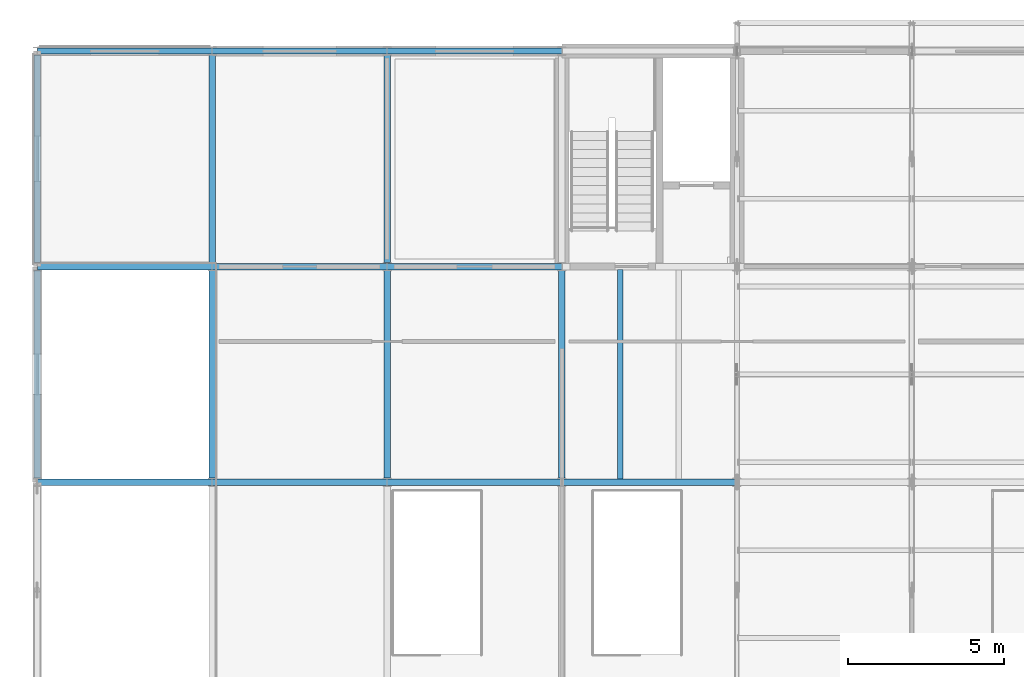
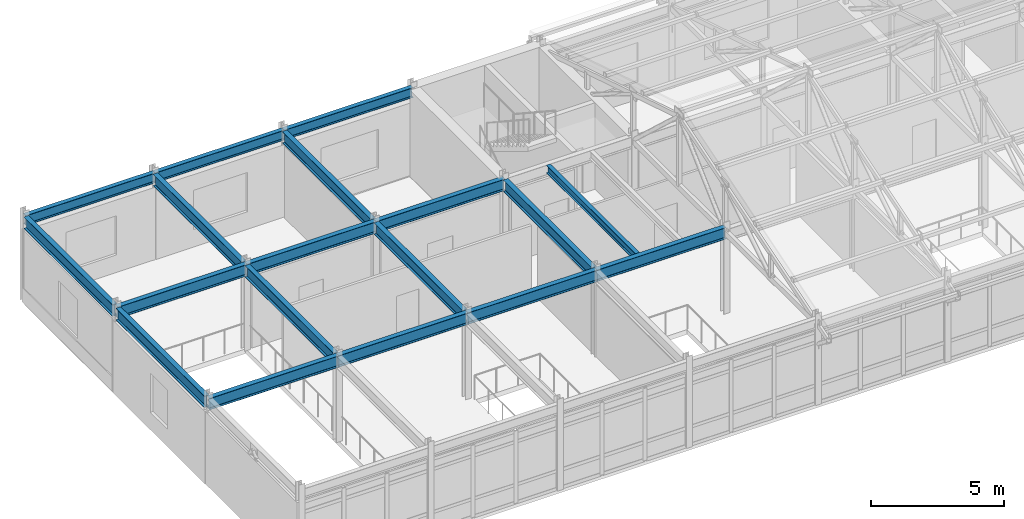
# One storey, part 75 of 144: 18 beams.
"""IFC4 building model written with IfcOpenShell, lengths in metres."""

from ifc_helpers import new_model, si_unit, direction, frame, origin, origin_2d, place, context, subcontext, project, spatial, i_section, extrude, material, material_profile, profile_set, type_object, element, save


model = new_model("IFC4")

# Units and contexts
model_context = context("Model", 3, precision=1e-05, world=origin(), true_north=direction((0.0, 1.0)))
body_context = subcontext(model_context, "Body", "Model", "MODEL_VIEW")
ifc_project = project(units=[si_unit("LENGTHUNIT", "METRE"), si_unit("AREAUNIT", "SQUARE_METRE"), si_unit("VOLUMEUNIT", "CUBIC_METRE"), si_unit("PLANEANGLEUNIT", "RADIAN"), si_unit("MASSUNIT", "GRAM", prefix="KILO")], contexts=[model_context])

# Site, building, storey
site_placement = place(None, origin())
site = spatial("IfcSite", under=ifc_project, at=site_placement, CompositionType="ELEMENT")
building_placement = place(site_placement, origin())
building = spatial("IfcBuilding", under=site, at=building_placement, Name="Trelmorton Wharf Fire Station", CompositionType="ELEMENT")
storey_placement = place(building_placement, frame((0.0, 0.0, 5.39990234375)))
storey = spatial("IfcBuildingStorey", under=building, at=storey_placement, Name="L01", CompositionType="ELEMENT", Elevation=5.39990234375)

# Beams
ifc_material = material(Name="Steel Grade 350", Category="steel")
ifc_material_profile_1 = material_profile(ifc_material, i_section(OverallWidth=0.208984375, OverallDepth=0.528076171875, WebThickness=0.009521484375, FlangeThickness=0.01318359375, FilletRadius=0.013916015625, at=origin_2d()), Name="530UB82.0")
ifc_profile_set_1 = profile_set([ifc_material_profile_1], Name="Steel Grade 350")
beam_type_1 = type_object("IfcBeamType", Name="BM_530UB82", PredefinedType="BEAM", material=ifc_profile_set_1)
for number, where, z_axis, x_axis, name in (
    (1, (0.803955078125, 67.199951171875, 3.666015625), (1.0, 0.0, 0.0), (0.0, 1.0, 0.0), "BM-L01-0506"),
    (2, (6.404052734375, 67.199951171875, 3.666015625), (1.0, 0.0, 0.0), (0.0, 1.0, 0.0), "BM-L01-0507"),
    (3, (12.00390625, 67.199951171875, 3.666015625), (1.0, 0.0, 0.0), (0.0, 1.0, 0.0), "BM-L01-0508"),
    (4, (17.60400390625, 67.199951171875, 3.666015625), (1.0, 0.0, 0.0), (0.0, 1.0, 0.0), "BM-L01-0509"),
    (5, (0.803955078125, 74.10009765625, 3.666015625), (1.0, 0.0, 0.0), (0.0, 1.0, 0.0), "BM-L01-0525"),
    (6, (6.404052734375, 74.10009765625, 3.666015625), (1.0, 0.0, 0.0), (0.0, 1.0, 0.0), "BM-L01-0526"),
    (7, (12.00390625, 74.10009765625, 3.666015625), (1.0, 0.0, 0.0), (0.0, 1.0, 0.0), "BM-L01-0527"),
):
    element("IfcBeam", number, at=place(storey_placement, frame(where, z_axis=z_axis, x_axis=x_axis)), inside=storey, type_object=beam_type_1, Name=name, PredefinedType="BEAM", context=body_context, shape_type="SweptSolid", body=[
        extrude(i_section(OverallWidth=0.208984375, OverallDepth=0.528076171875, WebThickness=0.009521484375, FlangeThickness=0.01318359375, FilletRadius=0.013916015625, at=origin_2d()), origin(), (0.0, 0.0, 1.0), 5.592041015625),
    ])
ifc_material_profile_2 = material_profile(ifc_material, i_section(OverallWidth=0.208984375, OverallDepth=0.532958984375, WebThickness=0.01025390625, FlangeThickness=0.015625, FilletRadius=0.013916015625, at=origin_2d()), Name="530UB92.4")
ifc_profile_set_2 = profile_set([ifc_material_profile_2], Name="Steel Grade 350")
beam_type_2 = type_object("IfcBeamType", Name="BM_530UB92", PredefinedType="BEAM", material=ifc_profile_set_2)
beam_1_placement = place(storey_placement, frame((0.800048828125, 67.325927734375, 3.66357421875), z_axis=(0.0, 1.0, 0.0), x_axis=(-1.0, 0.0, 0.0)))
element("IfcBeam", 8, at=beam_1_placement, inside=storey, type_object=beam_type_2, Name="BM-L01-0565", PredefinedType="BEAM", context=body_context, shape_type="SweptSolid", body=[
    extrude(i_section(OverallWidth=0.208984375, OverallDepth=0.532958984375, WebThickness=0.01025390625, FlangeThickness=0.015625, FilletRadius=0.013916015625, at=origin_2d()), origin(), (0.0, 0.0, 1.0), 6.648193359375),
])
beam_2_placement = place(storey_placement, frame((0.800048828125, 74.22607421875, 3.66357421875), z_axis=(0.0, 1.0, 0.0), x_axis=(-1.0, 0.0, 0.0)))
element("IfcBeam", 9, at=beam_2_placement, inside=storey, type_object=beam_type_2, Name="BM-L01-0566", PredefinedType="BEAM", context=body_context, shape_type="SweptSolid", body=[
    extrude(i_section(OverallWidth=0.208984375, OverallDepth=0.532958984375, WebThickness=0.01025390625, FlangeThickness=0.015625, FilletRadius=0.013916015625, at=origin_2d()), origin(), (0.0, 0.0, 1.0), 6.64794921875),
])
beam_3_placement = place(storey_placement, frame((6.39990234375, 67.325927734375, 3.66357421875), z_axis=(0.0, 1.0, 0.0), x_axis=(-1.0, 0.0, 0.0)))
element("IfcBeam", 10, at=beam_3_placement, inside=storey, type_object=beam_type_2, Name="BM-L01-0569", PredefinedType="BEAM", context=body_context, shape_type="SweptSolid", body=[
    extrude(i_section(OverallWidth=0.208984375, OverallDepth=0.532958984375, WebThickness=0.01025390625, FlangeThickness=0.015625, FilletRadius=0.013916015625, at=origin_2d()), origin(), (0.0, 0.0, 1.0), 6.648193359375),
])
beam_4_placement = place(storey_placement, frame((6.39990234375, 74.22607421875, 3.66357421875), z_axis=(0.0, 1.0, 0.0), x_axis=(-1.0, 0.0, 0.0)))
element("IfcBeam", 11, at=beam_4_placement, inside=storey, type_object=beam_type_2, Name="BM-L01-0570", PredefinedType="BEAM", context=body_context, shape_type="SweptSolid", body=[
    extrude(i_section(OverallWidth=0.208984375, OverallDepth=0.532958984375, WebThickness=0.01025390625, FlangeThickness=0.015625, FilletRadius=0.013916015625, at=origin_2d()), origin(), (0.0, 0.0, 1.0), 6.64794921875),
])
beam_5_placement = place(storey_placement, frame((12.0, 67.325927734375, 3.66357421875), z_axis=(0.0, 1.0, 0.0), x_axis=(-1.0, 0.0, 0.0)))
element("IfcBeam", 12, at=beam_5_placement, inside=storey, type_object=beam_type_2, Name="BM-L01-0573", PredefinedType="BEAM", context=body_context, shape_type="SweptSolid", body=[
    extrude(i_section(OverallWidth=0.208984375, OverallDepth=0.532958984375, WebThickness=0.01025390625, FlangeThickness=0.015625, FilletRadius=0.013916015625, at=origin_2d()), origin(), (0.0, 0.0, 1.0), 6.648193359375),
])
beam_6_placement = place(storey_placement, frame((12.0, 74.22607421875, 3.66357421875), z_axis=(0.0, 1.0, 0.0), x_axis=(-1.0, 0.0, 0.0)))
element("IfcBeam", 13, at=beam_6_placement, inside=storey, type_object=beam_type_2, Name="BM-L01-0574", PredefinedType="BEAM", context=body_context, shape_type="SweptSolid", body=[
    extrude(i_section(OverallWidth=0.208984375, OverallDepth=0.532958984375, WebThickness=0.01025390625, FlangeThickness=0.015625, FilletRadius=0.013916015625, at=origin_2d()), origin(), (0.0, 0.0, 1.0), 6.64794921875),
])
beam_7_placement = place(storey_placement, frame((17.60009765625, 67.325927734375, 3.66357421875), z_axis=(0.0, 1.0, 0.0), x_axis=(-1.0, 0.0, 0.0)))
element("IfcBeam", 14, at=beam_7_placement, inside=storey, type_object=beam_type_2, Name="BM-L01-0577", PredefinedType="BEAM", context=body_context, shape_type="SweptSolid", body=[
    extrude(i_section(OverallWidth=0.208984375, OverallDepth=0.532958984375, WebThickness=0.01025390625, FlangeThickness=0.015625, FilletRadius=0.013916015625, at=origin_2d()), origin(), (0.0, 0.0, 1.0), 6.648193359375),
])
ifc_material_profile_3 = material_profile(ifc_material, i_section(OverallWidth=0.172119140625, OverallDepth=0.35888671875, WebThickness=0.008056640625, FlangeThickness=0.012939453125, FilletRadius=0.011474609375, at=origin_2d()), Name="360UB56.7")
ifc_profile_set_3 = profile_set([ifc_material_profile_3], Name="Steel Grade 350")
beam_type_3 = type_object("IfcBeamType", Name="JS_360UB57", PredefinedType="JOIST", material=ifc_profile_set_3)
beam_8_placement = place(storey_placement, frame((19.466796875, 67.2900390625, 3.75048828125), z_axis=(0.0, 1.0, 0.0), x_axis=(-1.0, 0.0, 0.0)))
element("IfcBeam", 15, at=beam_8_placement, inside=storey, type_object=beam_type_3, Name="JS-L01-0139", PredefinedType="JOIST", context=body_context, shape_type="SweptSolid", body=[
    extrude(i_section(OverallWidth=0.172119140625, OverallDepth=0.35888671875, WebThickness=0.008056640625, FlangeThickness=0.012939453125, FilletRadius=0.011474609375, at=origin_2d()), origin(), (0.0, 0.0, 1.0), 6.719970703125),
])
ifc_material_profile_4 = material_profile(ifc_material, i_section(OverallWidth=0.18994140625, OverallDepth=0.45703125, WebThickness=0.009033203125, FlangeThickness=0.014404296875, FilletRadius=0.011474609375, at=origin_2d()), Name="460UB74.6")
ifc_profile_set_4 = profile_set([ifc_material_profile_4], Name="Steel Grade 350")
beam_type_4 = type_object("IfcBeamType", Name="SP_460UB75", PredefinedType="SPANDREL", material=ifc_profile_set_4)
for number, where, z_axis, x_axis, name in (
    (16, (0.803955078125, 81.0, 3.70166015625), (1.0, 0.0, 0.0), (0.0, 1.0, 0.0), "BM-L01-0544"),
    (17, (6.404052734375, 81.0, 3.70166015625), (1.0, 0.0, 0.0), (0.0, 1.0, 0.0), "BM-L01-0545"),
    (18, (12.00390625, 81.0, 3.70166015625), (1.0, 0.0, 0.0), (0.0, 1.0, 0.0), "BM-L01-0546"),
):
    element("IfcBeam", number, at=place(storey_placement, frame(where, z_axis=z_axis, x_axis=x_axis)), inside=storey, type_object=beam_type_4, Name=name, PredefinedType="SPANDREL", context=body_context, shape_type="SweptSolid", body=[
        extrude(i_section(OverallWidth=0.18994140625, OverallDepth=0.45703125, WebThickness=0.009033203125, FlangeThickness=0.014404296875, FilletRadius=0.011474609375, at=origin_2d()), origin(), (0.0, 0.0, 1.0), 5.592041015625),
    ])

save(model, "model.ifc")
